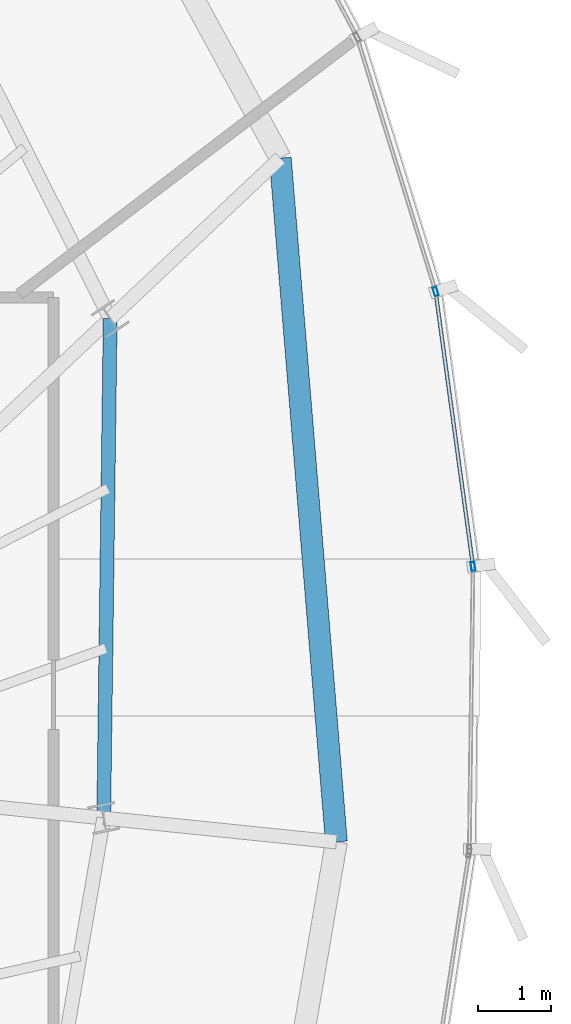
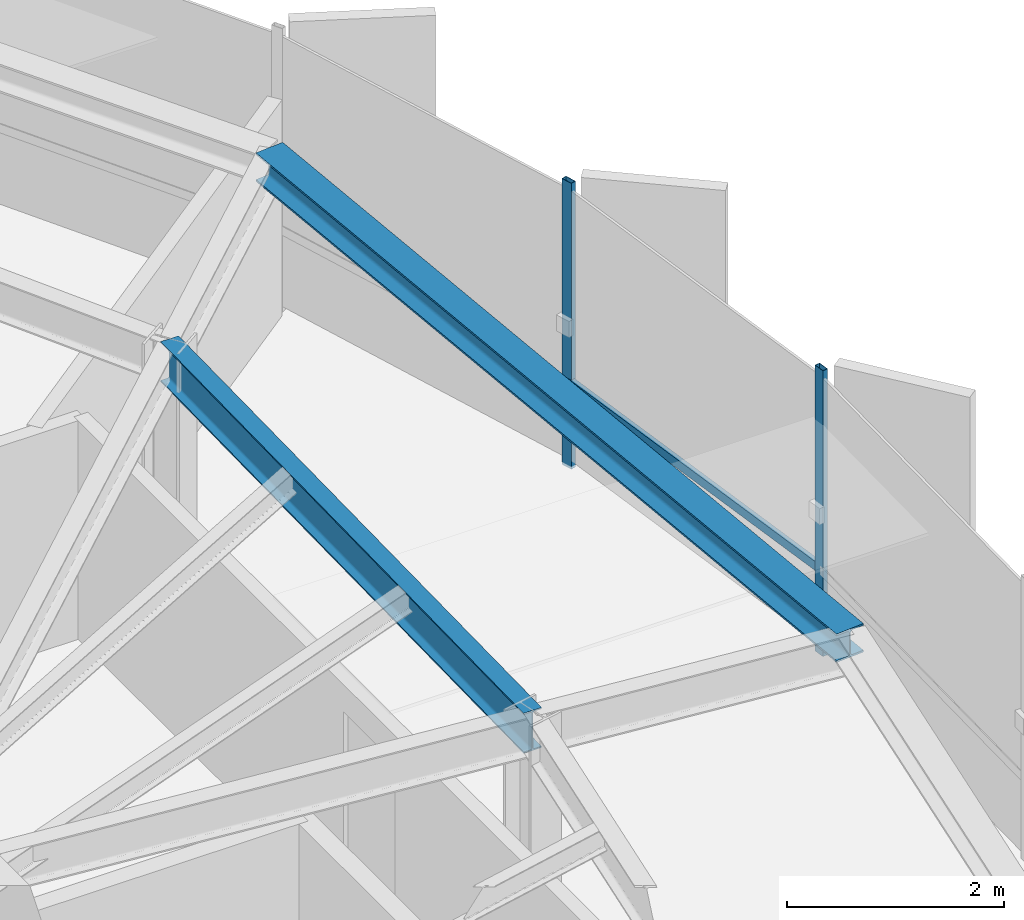
# One storey, part 17 of 32: 3 members, 2 beams, 1 element without a shape of its own.
"""IFC4 building model written with IfcOpenShell, lengths in metres."""

from ifc_helpers import new_model, si_unit, direction, frame, origin, origin_2d, place, context, subcontext, project, spatial, hollow_rectangle, i_section, extrude, source, transform, mapped, material, layer, layer_set, material_profile, profile_set, type_object, element, aggregate, save


model = new_model("IFC4")

# Units and contexts
model_context = context("Model", 3, precision=1e-05, world=origin(), true_north=direction((0.0, 1.0)))
body_context = subcontext(model_context, "Body", "Model", "MODEL_VIEW")
ifc_project = project(units=[si_unit("LENGTHUNIT", "METRE"), si_unit("AREAUNIT", "SQUARE_METRE"), si_unit("VOLUMEUNIT", "CUBIC_METRE"), si_unit("PLANEANGLEUNIT", "RADIAN"), si_unit("MASSUNIT", "GRAM", prefix="KILO"), si_unit("THERMODYNAMICTEMPERATUREUNIT", "KELVIN")], contexts=[model_context])

# Site, building, storey
site_placement = place(None, origin())
site = spatial("IfcSite", under=ifc_project, at=site_placement, CompositionType="ELEMENT")
building_placement = place(site_placement, origin())
building = spatial("IfcBuilding", under=site, at=building_placement, Name="Kethvar Cultural Tower", CompositionType="ELEMENT")
storey_placement = place(building_placement, frame((0.0, 0.0, 280.14990234375)))
storey = spatial("IfcBuildingStorey", under=building, at=storey_placement, Name="L74", CompositionType="ELEMENT", Elevation=280.14990234375)

# Beams
ifc_material_1 = material(Name="Steel S355J2", Category="steel")
ifc_material_profile_1 = material_profile(ifc_material_1, i_section(OverallWidth=0.18994140625, OverallDepth=0.449951171875, WebThickness=0.009521484375, FlangeThickness=0.0146484375, FilletRadius=0.02099609375, at=origin_2d()), Name="Steel S355J2 — IPE450")
ifc_profile_set_1 = profile_set([ifc_material_profile_1], Name="Steel S355J2 — IPE450")
beam_type_1 = type_object("IfcBeamType", Name="BM-IPE450", PredefinedType="BEAM", material=ifc_profile_set_1)
shared_shape_1 = source(origin(), body_context, "Body", "SweptSolid", [
    extrude(i_section(OverallWidth=0.18994140625, OverallDepth=0.449951171875, WebThickness=0.009521484375, FlangeThickness=0.0146484375, FilletRadius=0.02099609375, at=origin_2d()), origin(), (0.0, 0.0, 1.0), 6.834716796875),
])
beam_1_placement = place(storey_placement, frame((61.237060546875, 30.671630859375, 2.983154296875), z_axis=(0.012966437445, 0.999915932216, 0.0), x_axis=(-0.999915932216, 0.012966437445, 0.0)))
element("IfcBeam", 1, at=beam_1_placement, inside=storey, type_object=beam_type_1, Name="L74 Column Ring Tie Beam CR-01", PredefinedType="BEAM", context=body_context, shape_type="MappedRepresentation", body=[
    mapped(shared_shape_1, transform((0.0, 0.0, 0.0), scale=1.0)),
])
ifc_material_profile_2 = material_profile(ifc_material_1, i_section(OverallWidth=0.300048828125, OverallDepth=0.320068359375, WebThickness=0.011474609375, FlangeThickness=0.0205078125, FilletRadius=0.027099609375, at=origin_2d()), Name="Steel S355J2 — HEB320")
ifc_profile_set_2 = profile_set([ifc_material_profile_2], Name="Steel S355J2 — HEB320")
beam_type_2 = type_object("IfcBeamType", Name="BM-SP320", PredefinedType="SPANDREL", material=ifc_profile_set_2)
shared_shape_2 = source(origin(), body_context, "Body", "SweptSolid", [
    extrude(i_section(OverallWidth=0.300048828125, OverallDepth=0.320068359375, WebThickness=0.011474609375, FlangeThickness=0.0205078125, FilletRadius=0.027099609375, at=origin_2d()), origin(), (0.0, 0.0, 1.0), 9.388916015625),
])
beam_2_placement = place(storey_placement, frame((64.42041015625, 30.34521484375, 3.048095703125), z_axis=(-0.08178004371, 0.996650402323, 0.0), x_axis=(-0.996650402323, -0.08178004371, 0.0)))
element("IfcBeam", 2, at=beam_2_placement, inside=storey, type_object=beam_type_2, Name="L74 Perimeter Spandrel Beam SP-01", PredefinedType="SPANDREL", context=body_context, shape_type="MappedRepresentation", body=[
    mapped(shared_shape_2, transform((0.0, 0.0, 0.0), scale=1.0)),
])

# Curtain wall, members
ifc_material_2 = material(Name="Aluminium 6063-T6", Category="aluminium")
ifc_layer = layer(ifc_material_2, 0.179931640625, Name="Aluminium 6063-T6", Category="aluminium")
ifc_layer_set = layer_set([ifc_layer], Name="Aluminium 6063-T6 (180 mm)")
curtain_wall_type = type_object("IfcCurtainWallType", Name="CW-SYS-05-Z56", PredefinedType="NOTDEFINED", material=ifc_layer_set)
curtain_wall_placement = place(storey_placement, origin())
curtain_wall = element("IfcCurtainWall", 3, at=curtain_wall_placement, inside=storey, type_object=curtain_wall_type, Name="L74 Curtain Wall Run 06", PredefinedType="NOTDEFINED")
ifc_material_profile_3 = material_profile(ifc_material_2, hollow_rectangle(XDim=0.054931640625, YDim=0.1201171875, WallThickness=0.00390625, at=origin_2d()), Name="Aluminium 6063-T6 — RHS120x55x4")
ifc_profile_set_3 = profile_set([ifc_material_profile_3], Name="Aluminium 6063-T6 — RHS120x55x4")
member_type_1 = type_object("IfcMemberType", Name="CW-SYS-05-Z56-MUL", PredefinedType="MULLION", material=ifc_profile_set_3)
shared_shape_3 = source(origin(), body_context, "Body", "SweptSolid", [
    extrude(hollow_rectangle(XDim=0.054931640625, YDim=0.1201171875, WallThickness=0.00390625, at=origin_2d()), origin(), (0.0, 0.0, 1.0), 3.210205078125),
])
member_1_placement = place(storey_placement, frame((66.29052734375, 34.11328125, 0.0), z_axis=(0.0, 0.0, 1.0), x_axis=(-0.99083055954, -0.135110333735, 0.0)))
member_1 = element("IfcMember", 4, at=member_1_placement, type_object=member_type_1, Name="CW-L74-R06 Mullion 2", PredefinedType="MULLION", context=body_context, shape_type="MappedRepresentation", body=[
    mapped(shared_shape_3, transform((0.0, 0.0, 0.0), scale=1.0)),
])
member_2_placement = place(storey_placement, frame((65.779052734375, 37.87548828125, 0.0), z_axis=(0.0, 0.0, 1.0), x_axis=(-0.955366058417, -0.295424600236, 0.0)))
member_2 = element("IfcMember", 5, at=member_2_placement, type_object=member_type_1, Name="CW-L74-R06 Mullion 3", PredefinedType="MULLION", context=body_context, shape_type="MappedRepresentation", body=[
    mapped(shared_shape_3, transform((0.0, 0.0, 0.0), scale=1.0)),
])
ifc_material_profile_4 = material_profile(ifc_material_2, hollow_rectangle(XDim=0.050048828125, YDim=0.10009765625, WallThickness=0.00390625, at=origin_2d()), Name="Aluminium 6063-T6 — RHS100x50x4")
ifc_profile_set_4 = profile_set([ifc_material_profile_4], Name="Aluminium 6063-T6 — RHS100x50x4")
member_type_2 = type_object("IfcMemberType", Name="CW-SYS-05-Z56-TRN", PredefinedType="USERDEFINED", material=ifc_profile_set_4)
shared_shape_4 = source(origin(), body_context, "Body", "SweptSolid", [
    extrude(hollow_rectangle(XDim=0.050048828125, YDim=0.10009765625, WallThickness=0.00390625, at=origin_2d()), origin(), (0.0, 0.0, 1.0), 3.734130859375),
])
member_3_placement = place(storey_placement, frame((66.285400390625, 34.15234375, 0.9501953125), z_axis=(-0.135139462585, 0.990826587074, 0.0), x_axis=(-0.990826587074, -0.135139462585, 0.0)))
member_3 = element("IfcMember", 6, at=member_3_placement, type_object=member_type_2, Name="CW-L74-R06 Transom 2", ObjectType="TRANSOM", PredefinedType="USERDEFINED", context=body_context, shape_type="MappedRepresentation", body=[
    mapped(shared_shape_4, transform((0.0, 0.0, 0.0), scale=1.0)),
])
aggregate(curtain_wall, [member_1, member_2, member_3])

save(model, "model.ifc")
